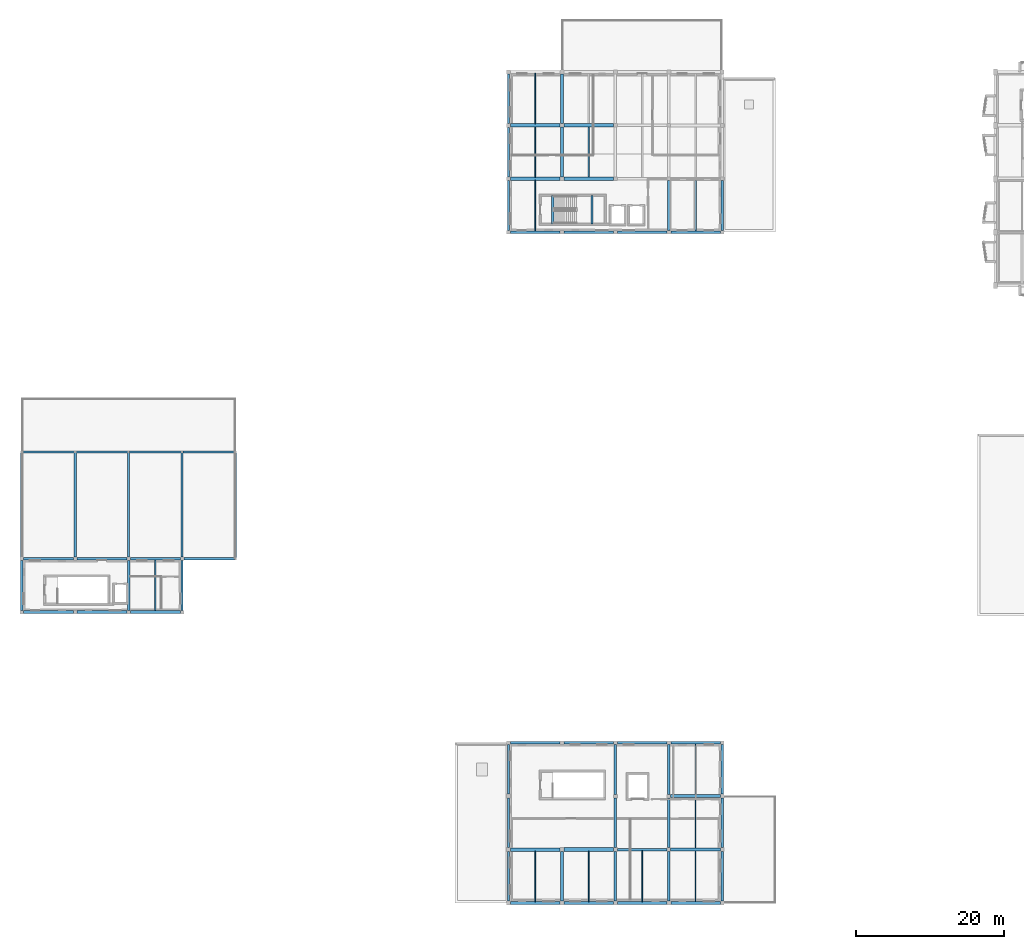
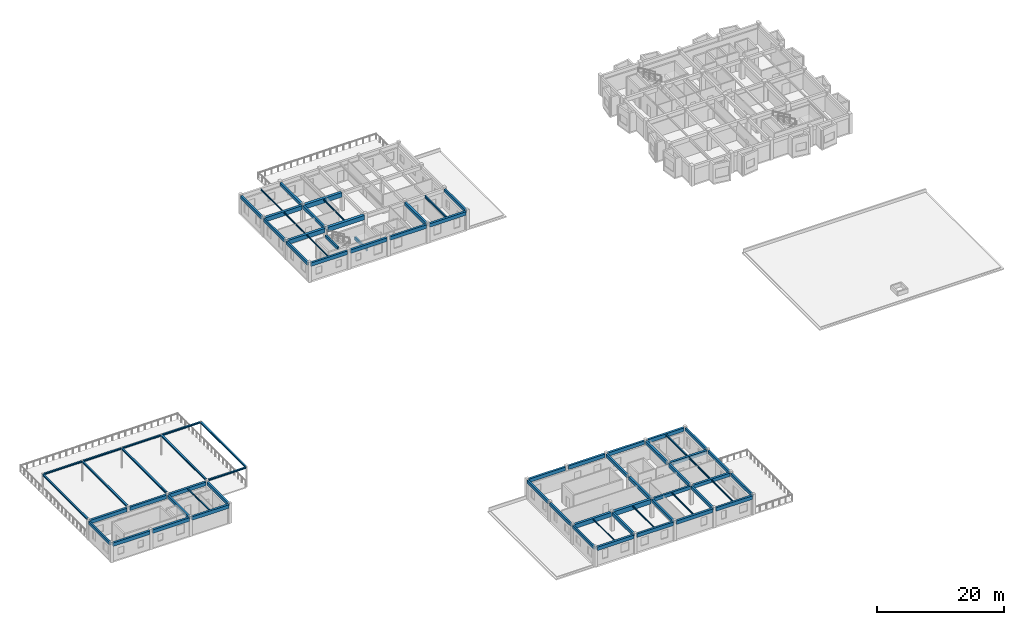
# One storey, part 4 of 20: 74 beams.
"""IFC4 building model written with IfcOpenShell, lengths in metres."""

from ifc_helpers import new_model, si_unit, direction, frame, origin, origin_2d, place, context, subcontext, project, spatial, rectangle, i_section, extrude, material, material_profile, profile_set, type_object, element, save


model = new_model("IFC4")

# Units and contexts
model_context = context("Model", 3, precision=1e-05, world=origin(), true_north=direction((0.0, 1.0)))
body_context = subcontext(model_context, "Body", "Model", "MODEL_VIEW")
ifc_project = project(units=[si_unit("LENGTHUNIT", "METRE"), si_unit("AREAUNIT", "SQUARE_METRE"), si_unit("VOLUMEUNIT", "CUBIC_METRE"), si_unit("PLANEANGLEUNIT", "RADIAN"), si_unit("MASSUNIT", "GRAM", prefix="KILO")], contexts=[model_context])

# Site, building, storey
site_placement = place(None, origin())
site = spatial("IfcSite", under=ifc_project, at=site_placement, CompositionType="ELEMENT")
building_placement = place(site_placement, origin())
building = spatial("IfcBuilding", under=site, at=building_placement, Name="Bramveld Media Centre", CompositionType="ELEMENT")
storey_placement = place(building_placement, frame((0.0, 0.0, 18.0)))
storey = spatial("IfcBuildingStorey", under=building, at=storey_placement, Name="L04", CompositionType="ELEMENT", Elevation=18.0)

# Beams
ifc_material_1 = material(Name="Concrete C40/50", Category="concrete")
ifc_material_profile_1 = material_profile(ifc_material_1, rectangle(XDim=0.300048828125, YDim=0.5, at=origin_2d()), Name="RC 300x500")
ifc_profile_set_1 = profile_set([ifc_material_profile_1], Name="Concrete C40/50")
beam_type_1 = type_object("IfcBeamType", Name="BM-INT-RC-300x500", PredefinedType="BEAM", material=ifc_profile_set_1)
for number, where, z_axis, x_axis, name in (
    (1, (71.550048828125, 91.5, 3.64990234375), (0.0, 1.0, 0.0), (-1.0, 0.0, 0.0), "ST-07 L05 stairwell landing trimmer beam"),
    (2, (76.85009765625, 91.5, 1.5), (0.0, 1.0, 0.0), (-1.0, 0.0, 0.0), "ST-07 L04 stairwell half-landing support beam"),
):
    element("IfcBeam", number, at=place(storey_placement, frame(where, z_axis=z_axis, x_axis=x_axis)), inside=storey, type_object=beam_type_1, Name=name, PredefinedType="BEAM", context=body_context, shape_type="SweptSolid", body=[
        extrude(rectangle(XDim=0.300048828125, YDim=0.5, at=origin_2d()), origin(), (0.0, 0.0, 1.0), 3.85009765625),
    ])
ifc_material_2 = material(Name="Concrete C40/50", Category="concrete")
ifc_material_profile_2 = material_profile(ifc_material_2, rectangle(XDim=0.35009765625, YDim=0.60009765625, at=origin_2d()), Name="RC 350x600")
ifc_profile_set_2 = profile_set([ifc_material_profile_2], Name="Concrete C40/50")
beam_type_2 = type_object("IfcBeamType", Name="BM-INT-RC-350x600", PredefinedType="BEAM", material=ifc_profile_set_2)
beam_1_placement = place(storey_placement, frame((14.39990234375, 39.43994140625, 3.360107421875), z_axis=(0.0, 1.0, 0.0), x_axis=(-1.0, 0.0, 0.0)))
element("IfcBeam", 3, at=beam_1_placement, inside=storey, type_object=beam_type_2, Name="V3 L04 girder Y-449", PredefinedType="BEAM", context=body_context, shape_type="SweptSolid", body=[
    extrude(rectangle(XDim=0.35009765625, YDim=0.60009765625, at=origin_2d()), origin(), (0.0, 0.0, 1.0), 6.719970703125),
])
for number, where, z_axis, x_axis, name in (
    (4, (72.800048828125, 0.260009765625, 3.360107421875), (0.0, 1.0, 0.0), (-1.0, 0.0, 0.0), "V5 L04 girder Y-888"),
    (5, (80.0, 0.260009765625, 3.360107421875), (0.0, 1.0, 0.0), (-1.0, 0.0, 0.0), "V5 L04 girder Y-889"),
):
    element("IfcBeam", number, at=place(storey_placement, frame(where, z_axis=z_axis, x_axis=x_axis)), inside=storey, type_object=beam_type_2, Name=name, PredefinedType="BEAM", context=body_context, shape_type="SweptSolid", body=[
        extrude(rectangle(XDim=0.35009765625, YDim=0.60009765625, at=origin_2d()), origin(), (0.0, 0.0, 1.0), 6.68994140625),
    ])
beam_2_placement = place(storey_placement, frame((80.0, 7.449951171875, 3.360107421875), z_axis=(0.0, 1.0, 0.0), x_axis=(-1.0, 0.0, 0.0)))
element("IfcBeam", 6, at=beam_2_placement, inside=storey, type_object=beam_type_2, Name="V5 L04 girder Y-890", PredefinedType="BEAM", context=body_context, shape_type="SweptSolid", body=[
    extrude(rectangle(XDim=0.35009765625, YDim=0.60009765625, at=origin_2d()), origin(), (0.0, 0.0, 1.0), 6.699951171875),
])
beam_3_placement = place(storey_placement, frame((80.0, 14.64990234375, 3.360107421875), z_axis=(0.0, 1.0, 0.0), x_axis=(-1.0, 0.0, 0.0)))
element("IfcBeam", 7, at=beam_3_placement, inside=storey, type_object=beam_type_2, Name="V5 L04 girder Y-891", PredefinedType="BEAM", context=body_context, shape_type="SweptSolid", body=[
    extrude(rectangle(XDim=0.35009765625, YDim=0.60009765625, at=origin_2d()), origin(), (0.0, 0.0, 1.0), 6.690185546875),
])
beam_4_placement = place(storey_placement, frame((87.199951171875, 0.260009765625, 3.360107421875), z_axis=(0.0, 1.0, 0.0), x_axis=(-1.0, 0.0, 0.0)))
element("IfcBeam", 8, at=beam_4_placement, inside=storey, type_object=beam_type_2, Name="V5 L04 girder Y-892", PredefinedType="BEAM", context=body_context, shape_type="SweptSolid", body=[
    extrude(rectangle(XDim=0.35009765625, YDim=0.60009765625, at=origin_2d()), origin(), (0.0, 0.0, 1.0), 6.68994140625),
])
beam_5_placement = place(storey_placement, frame((87.199951171875, 7.449951171875, 3.360107421875), z_axis=(0.0, 1.0, 0.0), x_axis=(-1.0, 0.0, 0.0)))
element("IfcBeam", 9, at=beam_5_placement, inside=storey, type_object=beam_type_2, Name="V5 L04 girder Y-893", PredefinedType="BEAM", context=body_context, shape_type="SweptSolid", body=[
    extrude(rectangle(XDim=0.35009765625, YDim=0.60009765625, at=origin_2d()), origin(), (0.0, 0.0, 1.0), 6.699951171875),
])
beam_6_placement = place(storey_placement, frame((87.199951171875, 14.64990234375, 3.360107421875), z_axis=(0.0, 1.0, 0.0), x_axis=(-1.0, 0.0, 0.0)))
element("IfcBeam", 10, at=beam_6_placement, inside=storey, type_object=beam_type_2, Name="V5 L04 girder Y-894", PredefinedType="BEAM", context=body_context, shape_type="SweptSolid", body=[
    extrude(rectangle(XDim=0.35009765625, YDim=0.60009765625, at=origin_2d()), origin(), (0.0, 0.0, 1.0), 6.690185546875),
])
beam_7_placement = place(storey_placement, frame((72.800048828125, 97.85009765625, 3.280029296875), z_axis=(0.0, 1.0, 0.0), x_axis=(-1.0, 0.0, 0.0)))
element("IfcBeam", 11, at=beam_7_placement, inside=storey, type_object=beam_type_2, Name="V6 L04 girder Y-1196", PredefinedType="BEAM", context=body_context, shape_type="SweptSolid", body=[
    extrude(rectangle(XDim=0.35009765625, YDim=0.60009765625, at=origin_2d()), origin(), (0.0, 0.0, 1.0), 6.699951171875),
])
beam_8_placement = place(storey_placement, frame((72.800048828125, 105.050048828125, 3.360107421875), z_axis=(0.0, 1.0, 0.0), x_axis=(-1.0, 0.0, 0.0)))
element("IfcBeam", 12, at=beam_8_placement, inside=storey, type_object=beam_type_2, Name="V6 L04 girder Y-1197", PredefinedType="BEAM", context=body_context, shape_type="SweptSolid", body=[
    extrude(rectangle(XDim=0.35009765625, YDim=0.60009765625, at=origin_2d()), origin(), (0.0, 0.0, 1.0), 6.68994140625),
])
beam_9_placement = place(storey_placement, frame((87.199951171875, 90.659912109375, 3.280029296875), z_axis=(0.0, 1.0, 0.0), x_axis=(-1.0, 0.0, 0.0)))
element("IfcBeam", 13, at=beam_9_placement, inside=storey, type_object=beam_type_2, Name="V6 L04 girder Y-1200", PredefinedType="BEAM", context=body_context, shape_type="SweptSolid", body=[
    extrude(rectangle(XDim=0.35009765625, YDim=0.60009765625, at=origin_2d()), origin(), (0.0, 0.0, 1.0), 6.690185546875),
])
ifc_material_3 = material(Name="Concrete C40/50", Category="concrete")
ifc_material_profile_3 = material_profile(ifc_material_3, rectangle(XDim=0.35009765625, YDim=0.64990234375, at=origin_2d()), Name="RC 350x650")
ifc_profile_set_3 = profile_set([ifc_material_profile_3], Name="Concrete C40/50")
beam_type_3 = type_object("IfcBeamType", Name="BM-INT-RC-350x650", PredefinedType="BEAM", material=ifc_profile_set_3)
beam_10_placement = place(storey_placement, frame((80.25, 7.199951171875, 3.3349609375), z_axis=(1.0, 0.0, 0.0), x_axis=(0.0, 1.0, 0.0)))
element("IfcBeam", 14, at=beam_10_placement, inside=storey, type_object=beam_type_3, Name="V5 L04 girder X-878", PredefinedType="BEAM", context=body_context, shape_type="SweptSolid", body=[
    extrude(rectangle(XDim=0.35009765625, YDim=0.64990234375, at=origin_2d()), origin(), (0.0, 0.0, 1.0), 6.699951171875),
])
ifc_material_4 = material(Name="Concrete C40/50", Category="concrete")
ifc_material_profile_4 = material_profile(ifc_material_4, rectangle(XDim=0.39990234375, YDim=0.64990234375, at=origin_2d()), Name="RC 400x650")
ifc_profile_set_4 = profile_set([ifc_material_profile_4], Name="Concrete C40/50")
beam_type_4 = type_object("IfcBeamType", Name="BM-INT-RC-400x650", PredefinedType="BEAM", material=ifc_profile_set_4)
for number, where, z_axis, x_axis, name in (
    (15, (87.449951171875, 7.199951171875, 3.3349609375), (1.0, 0.0, 0.0), (0.0, 1.0, 0.0), "V5 L04 girder X-879"),
    (16, (87.449951171875, 14.39990234375, 3.3349609375), (1.0, 0.0, 0.0), (0.0, 1.0, 0.0), "V5 L04 girder X-880"),
):
    element("IfcBeam", number, at=place(storey_placement, frame(where, z_axis=z_axis, x_axis=x_axis)), inside=storey, type_object=beam_type_4, Name=name, PredefinedType="BEAM", context=body_context, shape_type="SweptSolid", body=[
        extrude(rectangle(XDim=0.39990234375, YDim=0.64990234375, at=origin_2d()), origin(), (0.0, 0.0, 1.0), 6.68994140625),
    ])
ifc_material_5 = material(Name="Concrete C40/50", Category="concrete")
ifc_material_profile_5 = material_profile(ifc_material_5, rectangle(XDim=0.449951171875, YDim=0.800048828125, at=origin_2d()), Name="RC 450x800")
ifc_profile_set_5 = profile_set([ifc_material_profile_5], Name="Concrete C40/50")
beam_type_5 = type_object("IfcBeamType", Name="BM-INT-RC-450x800", PredefinedType="BEAM", material=ifc_profile_set_5)
for number, where, z_axis, x_axis, name in (
    (17, (65.860107421875, 7.199951171875, 3.260009765625), (1.0, 0.0, 0.0), (0.0, 1.0, 0.0), "V5 L04 girder X-876"),
    (18, (65.860107421875, 97.60009765625, 3.179931640625), (1.0, 0.0, 0.0), (0.0, 1.0, 0.0), "V6 L04 girder X-1181"),
    (19, (65.860107421875, 104.800048828125, 3.179931640625), (1.0, 0.0, 0.0), (0.0, 1.0, 0.0), "V6 L04 girder X-1185"),
):
    element("IfcBeam", number, at=place(storey_placement, frame(where, z_axis=z_axis, x_axis=x_axis)), inside=storey, type_object=beam_type_5, Name=name, PredefinedType="BEAM", context=body_context, shape_type="SweptSolid", body=[
        extrude(rectangle(XDim=0.449951171875, YDim=0.800048828125, at=origin_2d()), origin(), (0.0, 0.0, 1.0), 6.68994140625),
    ])
ifc_material_6 = material(Name="Concrete C40/50", Category="concrete")
ifc_material_profile_6 = material_profile(ifc_material_6, rectangle(XDim=0.5, YDim=0.85009765625, at=origin_2d()), Name="RC 500x850")
ifc_profile_set_6 = profile_set([ifc_material_profile_6], Name="Concrete C40/50")
beam_type_6 = type_object("IfcBeamType", Name="BM-INT-RC-500x850", PredefinedType="BEAM", material=ifc_profile_set_6)
for number, where, z_axis, x_axis, name in (
    (20, (73.050048828125, 7.199951171875, 3.235107421875), (1.0, 0.0, 0.0), (0.0, 1.0, 0.0), "V5 L04 girder X-877"),
    (21, (73.050048828125, 97.60009765625, 3.155029296875), (1.0, 0.0, 0.0), (0.0, 1.0, 0.0), "V6 L04 girder X-1182"),
    (22, (73.050048828125, 104.800048828125, 3.155029296875), (1.0, 0.0, 0.0), (0.0, 1.0, 0.0), "V6 L04 girder X-1186"),
):
    element("IfcBeam", number, at=place(storey_placement, frame(where, z_axis=z_axis, x_axis=x_axis)), inside=storey, type_object=beam_type_6, Name=name, PredefinedType="BEAM", context=body_context, shape_type="SweptSolid", body=[
        extrude(rectangle(XDim=0.5, YDim=0.85009765625, at=origin_2d()), origin(), (0.0, 0.0, 1.0), 6.699951171875),
    ])
ifc_material_7 = material(Name="Steel S355J2", Category="steel")
ifc_material_profile_7 = material_profile(ifc_material_7, i_section(OverallWidth=0.280029296875, OverallDepth=0.27001953125, WebThickness=0.008056640625, FlangeThickness=0.012939453125, FilletRadius=0.02392578125, at=origin_2d()), Name="HEA 280")
ifc_profile_set_7 = profile_set([ifc_material_profile_7], Name="Steel S355J2")
beam_type_7 = type_object("IfcBeamType", Name="SBM-EXT-HEA-280", PredefinedType="BEAM", material=ifc_profile_set_7)
beam_11_placement = place(storey_placement, frame((21.840087890625, 46.39990234375, 3.764892578125), z_axis=(1.0, 0.0, 0.0), x_axis=(0.0, 1.0, 0.0)))
element("IfcBeam", 23, at=beam_11_placement, inside=storey, type_object=beam_type_7, Name="Rooftop ramada canopy girder", PredefinedType="BEAM", context=body_context, shape_type="SweptSolid", body=[
    extrude(i_section(OverallWidth=0.280029296875, OverallDepth=0.27001953125, WebThickness=0.008056640625, FlangeThickness=0.012939453125, FilletRadius=0.02392578125, at=origin_2d()), origin(), (0.0, 0.0, 1.0), 6.85986328125),
])
for number, where, z_axis, x_axis, name in (
    (24, (0.10009765625, 60.800048828125, 3.764892578125), (1.0, 0.0, 0.0), (0.0, 1.0, 0.0), "Rooftop ramada canopy girder"),
    (25, (7.300048828125, 60.800048828125, 3.764892578125), (1.0, 0.0, 0.0), (0.0, 1.0, 0.0), "Rooftop ramada canopy girder"),
    (26, (14.5, 60.800048828125, 3.764892578125), (1.0, 0.0, 0.0), (0.0, 1.0, 0.0), "Rooftop ramada canopy girder"),
    (27, (21.699951171875, 60.800048828125, 3.764892578125), (1.0, 0.0, 0.0), (0.0, 1.0, 0.0), "Rooftop ramada canopy girder"),
):
    element("IfcBeam", number, at=place(storey_placement, frame(where, z_axis=z_axis, x_axis=x_axis)), inside=storey, type_object=beam_type_7, Name=name, PredefinedType="BEAM", context=body_context, shape_type="SweptSolid", body=[
        extrude(i_section(OverallWidth=0.280029296875, OverallDepth=0.27001953125, WebThickness=0.008056640625, FlangeThickness=0.012939453125, FilletRadius=0.02392578125, at=origin_2d()), origin(), (0.0, 0.0, 1.0), 7.0),
    ])
ifc_material_8 = material(Name="Steel S355J2", Category="steel")
ifc_material_profile_8 = material_profile(ifc_material_8, i_section(OverallWidth=0.300048828125, OverallDepth=0.300048828125, WebThickness=0.010986328125, FlangeThickness=0.01904296875, FilletRadius=0.027099609375, at=origin_2d()), Name="HEB 300")
ifc_profile_set_8 = profile_set([ifc_material_profile_8], Name="Steel S355J2")
beam_type_8 = type_object("IfcBeamType", Name="SBM-EXT-HEB-300", PredefinedType="BEAM", material=ifc_profile_set_8)
for number, where, z_axis, x_axis, name in (
    (28, (0.0, 46.639892578125, 3.75), (0.0, 1.0, 0.0), (-1.0, 0.0, 0.0), "Rooftop ramada canopy tie beam"),
    (29, (7.199951171875, 46.639892578125, 3.75), (0.0, 1.0, 0.0), (-1.0, 0.0, 0.0), "Rooftop ramada canopy tie beam"),
    (30, (14.39990234375, 46.639892578125, 3.75), (0.0, 1.0, 0.0), (-1.0, 0.0, 0.0), "Rooftop ramada canopy tie beam"),
    (31, (21.60009765625, 46.639892578125, 3.75), (0.0, 1.0, 0.0), (-1.0, 0.0, 0.0), "Rooftop ramada canopy tie beam"),
):
    element("IfcBeam", number, at=place(storey_placement, frame(where, z_axis=z_axis, x_axis=x_axis)), inside=storey, type_object=beam_type_8, Name=name, PredefinedType="BEAM", context=body_context, shape_type="SweptSolid", body=[
        extrude(i_section(OverallWidth=0.300048828125, OverallDepth=0.300048828125, WebThickness=0.010986328125, FlangeThickness=0.01904296875, FilletRadius=0.027099609375, at=origin_2d()), origin(), (0.0, 0.0, 1.0), 14.06005859375),
    ])
beam_12_placement = place(storey_placement, frame((28.800048828125, 46.5, 3.75), z_axis=(0.0, 1.0, 0.0), x_axis=(-1.0, 0.0, 0.0)))
element("IfcBeam", 32, at=beam_12_placement, inside=storey, type_object=beam_type_8, Name="Rooftop ramada canopy tie beam", PredefinedType="BEAM", context=body_context, shape_type="SweptSolid", body=[
    extrude(i_section(OverallWidth=0.300048828125, OverallDepth=0.300048828125, WebThickness=0.010986328125, FlangeThickness=0.01904296875, FilletRadius=0.027099609375, at=origin_2d()), origin(), (0.0, 0.0, 1.0), 14.199951171875),
])
ifc_material_9 = material(Name="Steel S355J2", Category="steel")
ifc_material_profile_9 = material_profile(ifc_material_9, i_section(OverallWidth=0.199951171875, OverallDepth=0.199951171875, WebThickness=0.009033203125, FlangeThickness=0.014892578125, FilletRadius=0.01806640625, at=origin_2d()), Name="HEB 200")
ifc_profile_set_9 = profile_set([ifc_material_profile_9], Name="Steel S355J2")
beam_type_9 = type_object("IfcBeamType", Name="SBM-INT-HEB-200", PredefinedType="BEAM", material=ifc_profile_set_9)
beam_13_placement = place(storey_placement, frame((18.0, 39.389892578125, 3.56005859375), z_axis=(0.0, 1.0, 0.0), x_axis=(-1.0, 0.0, 0.0)))
element("IfcBeam", 33, at=beam_13_placement, inside=storey, type_object=beam_type_9, Name="V3 L04 secondary floor joist 451", PredefinedType="BEAM", context=body_context, shape_type="SweptSolid", body=[
    extrude(i_section(OverallWidth=0.199951171875, OverallDepth=0.199951171875, WebThickness=0.009033203125, FlangeThickness=0.014892578125, FilletRadius=0.01806640625, at=origin_2d()), origin(), (0.0, 0.0, 1.0), 6.820068359375),
])
ifc_material_10 = material(Name="Steel S355J2", Category="steel")
ifc_material_profile_10 = material_profile(ifc_material_10, i_section(OverallWidth=0.110107421875, OverallDepth=0.219970703125, WebThickness=0.005859375, FlangeThickness=0.00927734375, FilletRadius=0.011962890625, at=origin_2d()), Name="IPE 220")
ifc_profile_set_10 = profile_set([ifc_material_profile_10], Name="Steel S355J2")
beam_type_10 = type_object("IfcBeamType", Name="SBM-INT-IPE-220", PredefinedType="JOIST", material=ifc_profile_set_10)
beam_14_placement = place(storey_placement, frame((69.199951171875, 0.18994140625, 3.550048828125), z_axis=(0.0, 1.0, 0.0), x_axis=(-1.0, 0.0, 0.0)))
element("IfcBeam", 34, at=beam_14_placement, inside=storey, type_object=beam_type_10, Name="V5 L04 secondary floor joist 898", PredefinedType="JOIST", context=body_context, shape_type="SweptSolid", body=[
    extrude(i_section(OverallWidth=0.110107421875, OverallDepth=0.219970703125, WebThickness=0.005859375, FlangeThickness=0.00927734375, FilletRadius=0.011962890625, at=origin_2d()), origin(), (0.0, 0.0, 1.0), 6.78515625),
])
beam_15_placement = place(storey_placement, frame((69.199951171875, 90.590087890625, 3.469970703125), z_axis=(0.0, 1.0, 0.0), x_axis=(-1.0, 0.0, 0.0)))
element("IfcBeam", 35, at=beam_15_placement, inside=storey, type_object=beam_type_10, Name="V6 L04 secondary floor joist 1206", PredefinedType="JOIST", context=body_context, shape_type="SweptSolid", body=[
    extrude(i_section(OverallWidth=0.110107421875, OverallDepth=0.219970703125, WebThickness=0.005859375, FlangeThickness=0.00927734375, FilletRadius=0.011962890625, at=origin_2d()), origin(), (0.0, 0.0, 1.0), 6.784912109375),
])
ifc_material_11 = material(Name="Steel S355J2", Category="steel")
ifc_material_profile_11 = material_profile(ifc_material_11, i_section(OverallWidth=0.1201171875, OverallDepth=0.239990234375, WebThickness=0.006103515625, FlangeThickness=0.009765625, FilletRadius=0.014892578125, at=origin_2d()), Name="IPE 240")
ifc_profile_set_11 = profile_set([ifc_material_profile_11], Name="Steel S355J2")
beam_type_11 = type_object("IfcBeamType", Name="SBM-INT-IPE-240", PredefinedType="JOIST", material=ifc_profile_set_11)
beam_16_placement = place(storey_placement, frame((76.39990234375, 0.18994140625, 3.5400390625), z_axis=(0.0, 1.0, 0.0), x_axis=(-1.0, 0.0, 0.0)))
element("IfcBeam", 36, at=beam_16_placement, inside=storey, type_object=beam_type_11, Name="V5 L04 secondary floor joist 899", PredefinedType="JOIST", context=body_context, shape_type="SweptSolid", body=[
    extrude(i_section(OverallWidth=0.1201171875, OverallDepth=0.239990234375, WebThickness=0.006103515625, FlangeThickness=0.009765625, FilletRadius=0.014892578125, at=origin_2d()), origin(), (0.0, 0.0, 1.0), 6.760009765625),
])
beam_17_placement = place(storey_placement, frame((69.199951171875, 97.824951171875, 3.4599609375), z_axis=(0.0, 1.0, 0.0), x_axis=(-1.0, 0.0, 0.0)))
element("IfcBeam", 37, at=beam_17_placement, inside=storey, type_object=beam_type_11, Name="V6 L04 secondary floor joist 1207", PredefinedType="JOIST", context=body_context, shape_type="SweptSolid", body=[
    extrude(i_section(OverallWidth=0.1201171875, OverallDepth=0.239990234375, WebThickness=0.006103515625, FlangeThickness=0.009765625, FilletRadius=0.014892578125, at=origin_2d()), origin(), (0.0, 0.0, 1.0), 6.75),
])
ifc_material_12 = material(Name="Steel S355J2", Category="steel")
ifc_material_profile_12 = material_profile(ifc_material_12, i_section(OverallWidth=0.135009765625, OverallDepth=0.27001953125, WebThickness=0.006591796875, FlangeThickness=0.01025390625, FilletRadius=0.014892578125, at=origin_2d()), Name="IPE 270")
ifc_profile_set_12 = profile_set([ifc_material_profile_12], Name="Steel S355J2")
beam_type_12 = type_object("IfcBeamType", Name="SBM-INT-IPE-270", PredefinedType="JOIST", material=ifc_profile_set_12)
beam_18_placement = place(storey_placement, frame((83.60009765625, 0.18994140625, 3.52490234375), z_axis=(0.0, 1.0, 0.0), x_axis=(-1.0, 0.0, 0.0)))
element("IfcBeam", 38, at=beam_18_placement, inside=storey, type_object=beam_type_12, Name="V5 L04 secondary floor joist 900", PredefinedType="JOIST", context=body_context, shape_type="SweptSolid", body=[
    extrude(i_section(OverallWidth=0.135009765625, OverallDepth=0.27001953125, WebThickness=0.006591796875, FlangeThickness=0.01025390625, FilletRadius=0.014892578125, at=origin_2d()), origin(), (0.0, 0.0, 1.0), 6.8349609375),
])
beam_19_placement = place(storey_placement, frame((69.199951171875, 105.02490234375, 3.52490234375), z_axis=(0.0, 1.0, 0.0), x_axis=(-1.0, 0.0, 0.0)))
element("IfcBeam", 39, at=beam_19_placement, inside=storey, type_object=beam_type_12, Name="V6 L04 secondary floor joist 1208", PredefinedType="JOIST", context=body_context, shape_type="SweptSolid", body=[
    extrude(i_section(OverallWidth=0.135009765625, OverallDepth=0.27001953125, WebThickness=0.006591796875, FlangeThickness=0.01025390625, FilletRadius=0.014892578125, at=origin_2d()), origin(), (0.0, 0.0, 1.0), 6.78515625),
])
ifc_material_13 = material(Name="Steel S355J2", Category="steel")
ifc_material_profile_13 = material_profile(ifc_material_13, i_section(OverallWidth=0.14990234375, OverallDepth=0.300048828125, WebThickness=0.007080078125, FlangeThickness=0.0107421875, FilletRadius=0.014892578125, at=origin_2d()), Name="IPE 300")
ifc_profile_set_13 = profile_set([ifc_material_profile_13], Name="Steel S355J2")
beam_type_13 = type_object("IfcBeamType", Name="SBM-INT-IPE-300", PredefinedType="JOIST", material=ifc_profile_set_13)
beam_20_placement = place(storey_placement, frame((90.800048828125, 0.18994140625, 3.510009765625), z_axis=(0.0, 1.0, 0.0), x_axis=(-1.0, 0.0, 0.0)))
element("IfcBeam", 40, at=beam_20_placement, inside=storey, type_object=beam_type_13, Name="V5 L04 secondary floor joist 901", PredefinedType="JOIST", context=body_context, shape_type="SweptSolid", body=[
    extrude(i_section(OverallWidth=0.14990234375, OverallDepth=0.300048828125, WebThickness=0.007080078125, FlangeThickness=0.0107421875, FilletRadius=0.014892578125, at=origin_2d()), origin(), (0.0, 0.0, 1.0), 6.81005859375),
])
beam_21_placement = place(storey_placement, frame((76.39990234375, 97.85009765625, 3.429931640625), z_axis=(0.0, 1.0, 0.0), x_axis=(-1.0, 0.0, 0.0)))
element("IfcBeam", 41, at=beam_21_placement, inside=storey, type_object=beam_type_13, Name="V6 L04 secondary floor joist 1209", PredefinedType="JOIST", context=body_context, shape_type="SweptSolid", body=[
    extrude(i_section(OverallWidth=0.14990234375, OverallDepth=0.300048828125, WebThickness=0.007080078125, FlangeThickness=0.0107421875, FilletRadius=0.014892578125, at=origin_2d()), origin(), (0.0, 0.0, 1.0), 6.699951171875),
])
ifc_material_14 = material(Name="Steel S355J2", Category="steel")
ifc_material_profile_14 = material_profile(ifc_material_14, i_section(OverallWidth=0.159912109375, OverallDepth=0.330078125, WebThickness=0.007568359375, FlangeThickness=0.011474609375, FilletRadius=0.01806640625, at=origin_2d()), Name="IPE 330")
ifc_profile_set_14 = profile_set([ifc_material_profile_14], Name="Steel S355J2")
beam_type_14 = type_object("IfcBeamType", Name="SBM-INT-IPE-330", PredefinedType="JOIST", material=ifc_profile_set_14)
beam_22_placement = place(storey_placement, frame((90.800048828125, 7.39990234375, 3.4951171875), z_axis=(0.0, 1.0, 0.0), x_axis=(-1.0, 0.0, 0.0)))
element("IfcBeam", 42, at=beam_22_placement, inside=storey, type_object=beam_type_14, Name="V5 L04 secondary floor joist 902", PredefinedType="JOIST", context=body_context, shape_type="SweptSolid", body=[
    extrude(i_section(OverallWidth=0.159912109375, OverallDepth=0.330078125, WebThickness=0.007568359375, FlangeThickness=0.011474609375, FilletRadius=0.01806640625, at=origin_2d()), origin(), (0.0, 0.0, 1.0), 6.800048828125),
])
ifc_material_15 = material(Name="Steel S355J2", Category="steel")
ifc_material_profile_15 = material_profile(ifc_material_15, i_section(OverallWidth=0.169921875, OverallDepth=0.360107421875, WebThickness=0.008056640625, FlangeThickness=0.0126953125, FilletRadius=0.01806640625, at=origin_2d()), Name="IPE 360")
ifc_profile_set_15 = profile_set([ifc_material_profile_15], Name="Steel S355J2")
beam_type_15 = type_object("IfcBeamType", Name="SBM-INT-IPE-360", PredefinedType="JOIST", material=ifc_profile_set_15)
beam_23_placement = place(storey_placement, frame((90.800048828125, 14.60009765625, 3.47998046875), z_axis=(0.0, 1.0, 0.0), x_axis=(-1.0, 0.0, 0.0)))
element("IfcBeam", 43, at=beam_23_placement, inside=storey, type_object=beam_type_15, Name="V5 L04 secondary floor joist 903", PredefinedType="JOIST", context=body_context, shape_type="SweptSolid", body=[
    extrude(i_section(OverallWidth=0.169921875, OverallDepth=0.360107421875, WebThickness=0.008056640625, FlangeThickness=0.0126953125, FilletRadius=0.01806640625, at=origin_2d()), origin(), (0.0, 0.0, 1.0), 6.809814453125),
])
ifc_material_16 = material(Name="Steel S355J2", Category="steel")
ifc_material_profile_16 = material_profile(ifc_material_16, i_section(OverallWidth=0.18994140625, OverallDepth=0.449951171875, WebThickness=0.009521484375, FlangeThickness=0.0146484375, FilletRadius=0.02099609375, at=origin_2d()), Name="IPE 450")
ifc_profile_set_16 = profile_set([ifc_material_profile_16], Name="Steel S355J2")
beam_type_16 = type_object("IfcBeamType", Name="SBM-INT-IPE-450", PredefinedType="BEAM", material=ifc_profile_set_16)
beam_24_placement = place(storey_placement, frame((90.800048828125, 90.590087890625, 3.35498046875), z_axis=(0.0, 1.0, 0.0), x_axis=(-1.0, 0.0, 0.0)))
element("IfcBeam", 44, at=beam_24_placement, inside=storey, type_object=beam_type_16, Name="V6 L04 secondary floor joist 1213", PredefinedType="BEAM", context=body_context, shape_type="SweptSolid", body=[
    extrude(i_section(OverallWidth=0.18994140625, OverallDepth=0.449951171875, WebThickness=0.009521484375, FlangeThickness=0.0146484375, FilletRadius=0.02099609375, at=origin_2d()), origin(), (0.0, 0.0, 1.0), 6.809814453125),
])
ifc_material_17 = material(Name="Concrete C40/50", Category="concrete")
ifc_material_profile_17 = material_profile(ifc_material_17, rectangle(XDim=0.320068359375, YDim=0.580078125, at=origin_2d()), Name="RC 320x580")
ifc_profile_set_17 = profile_set([ifc_material_profile_17], Name="Concrete C40/50")
beam_type_17 = type_object("IfcBeamType", Name="SPANDREL-EXT-RC-320x580", PredefinedType="SPANDREL", material=ifc_profile_set_17)
for number, where, z_axis, x_axis, name in (
    (45, (0.0, 39.43994140625, 3.3701171875), (0.0, 1.0, 0.0), (-1.0, 0.0, 0.0), "V3 L04 girder Y-448"),
    (46, (21.60009765625, 39.43994140625, 3.3701171875), (0.0, 1.0, 0.0), (-1.0, 0.0, 0.0), "V3 L04 girder Y-450"),
):
    element("IfcBeam", number, at=place(storey_placement, frame(where, z_axis=z_axis, x_axis=x_axis)), inside=storey, type_object=beam_type_17, Name=name, PredefinedType="SPANDREL", context=body_context, shape_type="SweptSolid", body=[
        extrude(rectangle(XDim=0.320068359375, YDim=0.580078125, at=origin_2d()), origin(), (0.0, 0.0, 1.0), 6.719970703125),
    ])
for number, where, z_axis, x_axis, name in (
    (47, (65.60009765625, 0.260009765625, 3.3701171875), (0.0, 1.0, 0.0), (-1.0, 0.0, 0.0), "V5 L04 girder Y-885"),
    (48, (65.60009765625, 7.4599609375, 3.3701171875), (0.0, 1.0, 0.0), (-1.0, 0.0, 0.0), "V5 L04 girder Y-886"),
):
    element("IfcBeam", number, at=place(storey_placement, frame(where, z_axis=z_axis, x_axis=x_axis)), inside=storey, type_object=beam_type_17, Name=name, PredefinedType="SPANDREL", context=body_context, shape_type="SweptSolid", body=[
        extrude(rectangle(XDim=0.320068359375, YDim=0.580078125, at=origin_2d()), origin(), (0.0, 0.0, 1.0), 6.679931640625),
    ])
beam_25_placement = place(storey_placement, frame((65.60009765625, 14.659912109375, 3.3701171875), z_axis=(0.0, 1.0, 0.0), x_axis=(-1.0, 0.0, 0.0)))
element("IfcBeam", 49, at=beam_25_placement, inside=storey, type_object=beam_type_17, Name="V5 L04 girder Y-887", PredefinedType="SPANDREL", context=body_context, shape_type="SweptSolid", body=[
    extrude(rectangle(XDim=0.320068359375, YDim=0.580078125, at=origin_2d()), origin(), (0.0, 0.0, 1.0), 6.68017578125),
])
for number, where, z_axis, x_axis, name in (
    (50, (94.39990234375, 0.260009765625, 3.3701171875), (0.0, 1.0, 0.0), (-1.0, 0.0, 0.0), "V5 L04 girder Y-895"),
    (51, (94.39990234375, 7.4599609375, 3.3701171875), (0.0, 1.0, 0.0), (-1.0, 0.0, 0.0), "V5 L04 girder Y-896"),
):
    element("IfcBeam", number, at=place(storey_placement, frame(where, z_axis=z_axis, x_axis=x_axis)), inside=storey, type_object=beam_type_17, Name=name, PredefinedType="SPANDREL", context=body_context, shape_type="SweptSolid", body=[
        extrude(rectangle(XDim=0.320068359375, YDim=0.580078125, at=origin_2d()), origin(), (0.0, 0.0, 1.0), 6.679931640625),
    ])
for number, where, z_axis, x_axis, name in (
    (52, (94.39990234375, 14.659912109375, 3.3701171875), (0.0, 1.0, 0.0), (-1.0, 0.0, 0.0), "V5 L04 girder Y-897"),
    (53, (65.60009765625, 90.659912109375, 3.2900390625), (0.0, 1.0, 0.0), (-1.0, 0.0, 0.0), "V6 L04 girder Y-1193"),
):
    element("IfcBeam", number, at=place(storey_placement, frame(where, z_axis=z_axis, x_axis=x_axis)), inside=storey, type_object=beam_type_17, Name=name, PredefinedType="SPANDREL", context=body_context, shape_type="SweptSolid", body=[
        extrude(rectangle(XDim=0.320068359375, YDim=0.580078125, at=origin_2d()), origin(), (0.0, 0.0, 1.0), 6.68017578125),
    ])
for number, where, z_axis, x_axis, name in (
    (54, (65.60009765625, 97.860107421875, 3.2900390625), (0.0, 1.0, 0.0), (-1.0, 0.0, 0.0), "V6 L04 girder Y-1194"),
    (55, (65.60009765625, 105.06005859375, 3.360107421875), (0.0, 1.0, 0.0), (-1.0, 0.0, 0.0), "V6 L04 girder Y-1195"),
):
    element("IfcBeam", number, at=place(storey_placement, frame(where, z_axis=z_axis, x_axis=x_axis)), inside=storey, type_object=beam_type_17, Name=name, PredefinedType="SPANDREL", context=body_context, shape_type="SweptSolid", body=[
        extrude(rectangle(XDim=0.320068359375, YDim=0.580078125, at=origin_2d()), origin(), (0.0, 0.0, 1.0), 6.679931640625),
    ])
beam_26_placement = place(storey_placement, frame((94.39990234375, 90.659912109375, 3.2900390625), z_axis=(0.0, 1.0, 0.0), x_axis=(-1.0, 0.0, 0.0)))
element("IfcBeam", 56, at=beam_26_placement, inside=storey, type_object=beam_type_17, Name="V6 L04 girder Y-1203", PredefinedType="SPANDREL", context=body_context, shape_type="SweptSolid", body=[
    extrude(rectangle(XDim=0.320068359375, YDim=0.580078125, at=origin_2d()), origin(), (0.0, 0.0, 1.0), 6.68017578125),
])
ifc_material_18 = material(Name="Concrete C40/50", Category="concrete")
ifc_material_profile_18 = material_profile(ifc_material_18, rectangle(XDim=0.3798828125, YDim=0.679931640625, at=origin_2d()), Name="RC 380x680")
ifc_profile_set_18 = profile_set([ifc_material_profile_18], Name="Concrete C40/50")
beam_type_18 = type_object("IfcBeamType", Name="SPANDREL-EXT-RC-380x680", PredefinedType="SPANDREL", material=ifc_profile_set_18)
for number, where, z_axis, x_axis, name in (
    (57, (0.239990234375, 39.199951171875, 3.320068359375), (1.0, 0.0, 0.0), (0.0, 1.0, 0.0), "V3 L04 girder X-442"),
    (58, (7.43994140625, 39.199951171875, 3.320068359375), (1.0, 0.0, 0.0), (0.0, 1.0, 0.0), "V3 L04 girder X-443"),
):
    element("IfcBeam", number, at=place(storey_placement, frame(where, z_axis=z_axis, x_axis=x_axis)), inside=storey, type_object=beam_type_18, Name=name, PredefinedType="SPANDREL", context=body_context, shape_type="SweptSolid", body=[
        extrude(rectangle(XDim=0.3798828125, YDim=0.679931640625, at=origin_2d()), origin(), (0.0, 0.0, 1.0), 6.719970703125),
    ])
beam_27_placement = place(storey_placement, frame((14.639892578125, 39.199951171875, 3.320068359375), z_axis=(1.0, 0.0, 0.0), x_axis=(0.0, 1.0, 0.0)))
element("IfcBeam", 59, at=beam_27_placement, inside=storey, type_object=beam_type_18, Name="V3 L04 girder X-444", PredefinedType="SPANDREL", context=body_context, shape_type="SweptSolid", body=[
    extrude(rectangle(XDim=0.3798828125, YDim=0.679931640625, at=origin_2d()), origin(), (0.0, 0.0, 1.0), 6.72021484375),
])
for number, where, z_axis, x_axis, name in (
    (60, (0.239990234375, 46.39990234375, 3.320068359375), (1.0, 0.0, 0.0), (0.0, 1.0, 0.0), "V3 L04 girder X-445"),
    (61, (7.43994140625, 46.39990234375, 3.320068359375), (1.0, 0.0, 0.0), (0.0, 1.0, 0.0), "V3 L04 girder X-446"),
):
    element("IfcBeam", number, at=place(storey_placement, frame(where, z_axis=z_axis, x_axis=x_axis)), inside=storey, type_object=beam_type_18, Name=name, PredefinedType="SPANDREL", context=body_context, shape_type="SweptSolid", body=[
        extrude(rectangle(XDim=0.3798828125, YDim=0.679931640625, at=origin_2d()), origin(), (0.0, 0.0, 1.0), 6.719970703125),
    ])
beam_28_placement = place(storey_placement, frame((14.639892578125, 46.39990234375, 3.320068359375), z_axis=(1.0, 0.0, 0.0), x_axis=(0.0, 1.0, 0.0)))
element("IfcBeam", 62, at=beam_28_placement, inside=storey, type_object=beam_type_18, Name="V3 L04 girder X-447", PredefinedType="SPANDREL", context=body_context, shape_type="SweptSolid", body=[
    extrude(rectangle(XDim=0.3798828125, YDim=0.679931640625, at=origin_2d()), origin(), (0.0, 0.0, 1.0), 6.72021484375),
])
for number, where, z_axis, x_axis, name in (
    (63, (65.860107421875, 0.0, 3.320068359375), (1.0, 0.0, 0.0), (0.0, 1.0, 0.0), "V5 L04 girder X-872"),
    (64, (73.06005859375, 0.0, 3.320068359375), (1.0, 0.0, 0.0), (0.0, 1.0, 0.0), "V5 L04 girder X-873"),
    (65, (80.260009765625, 0.0, 3.320068359375), (1.0, 0.0, 0.0), (0.0, 1.0, 0.0), "V5 L04 girder X-874"),
    (66, (87.4599609375, 0.0, 3.320068359375), (1.0, 0.0, 0.0), (0.0, 1.0, 0.0), "V5 L04 girder X-875"),
    (67, (65.860107421875, 21.60009765625, 3.320068359375), (1.0, 0.0, 0.0), (0.0, 1.0, 0.0), "V5 L04 girder X-881"),
    (68, (73.06005859375, 21.60009765625, 3.320068359375), (1.0, 0.0, 0.0), (0.0, 1.0, 0.0), "V5 L04 girder X-882"),
    (69, (80.260009765625, 21.60009765625, 3.320068359375), (1.0, 0.0, 0.0), (0.0, 1.0, 0.0), "V5 L04 girder X-883"),
    (70, (87.4599609375, 21.60009765625, 3.320068359375), (1.0, 0.0, 0.0), (0.0, 1.0, 0.0), "V5 L04 girder X-884"),
    (71, (65.860107421875, 90.39990234375, 3.239990234375), (1.0, 0.0, 0.0), (0.0, 1.0, 0.0), "V6 L04 girder X-1177"),
    (72, (73.06005859375, 90.39990234375, 3.239990234375), (1.0, 0.0, 0.0), (0.0, 1.0, 0.0), "V6 L04 girder X-1178"),
    (73, (80.260009765625, 90.39990234375, 3.239990234375), (1.0, 0.0, 0.0), (0.0, 1.0, 0.0), "V6 L04 girder X-1179"),
    (74, (87.4599609375, 90.39990234375, 3.239990234375), (1.0, 0.0, 0.0), (0.0, 1.0, 0.0), "V6 L04 girder X-1180"),
):
    element("IfcBeam", number, at=place(storey_placement, frame(where, z_axis=z_axis, x_axis=x_axis)), inside=storey, type_object=beam_type_18, Name=name, PredefinedType="SPANDREL", context=body_context, shape_type="SweptSolid", body=[
        extrude(rectangle(XDim=0.3798828125, YDim=0.679931640625, at=origin_2d()), origin(), (0.0, 0.0, 1.0), 6.679931640625),
    ])

save(model, "model.ifc")
